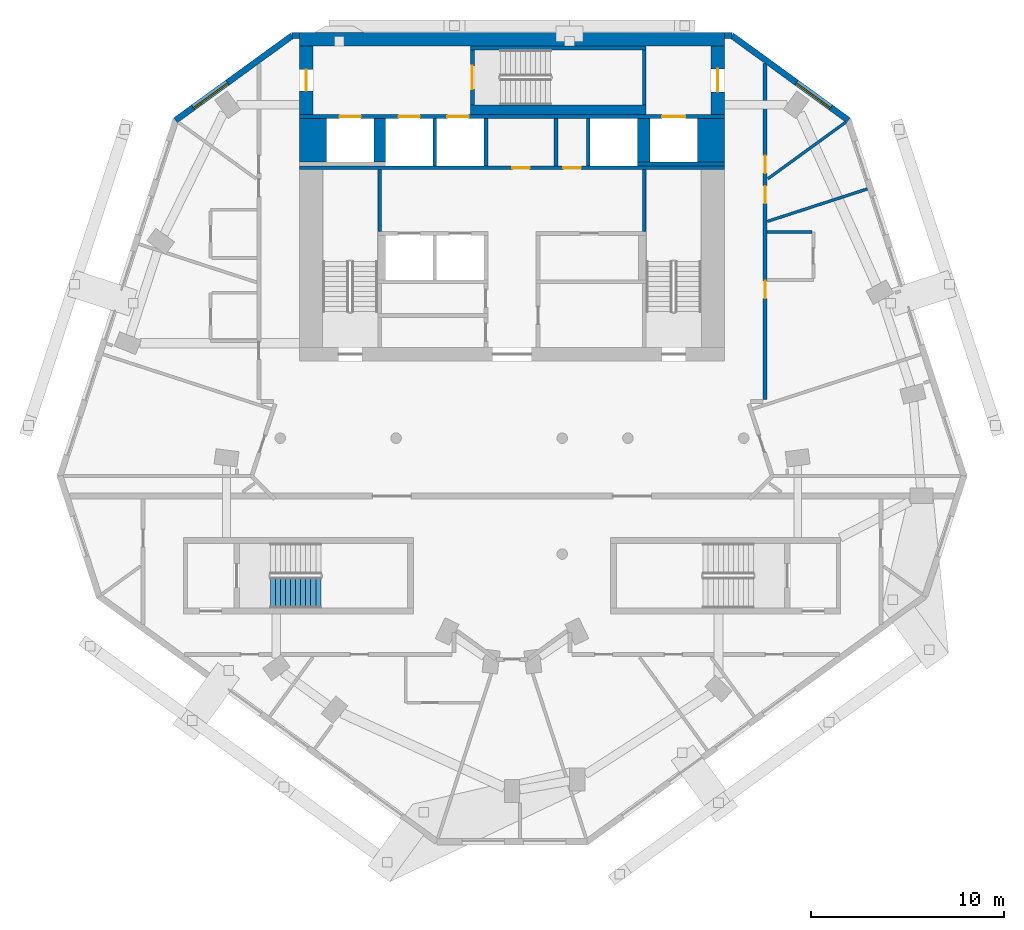
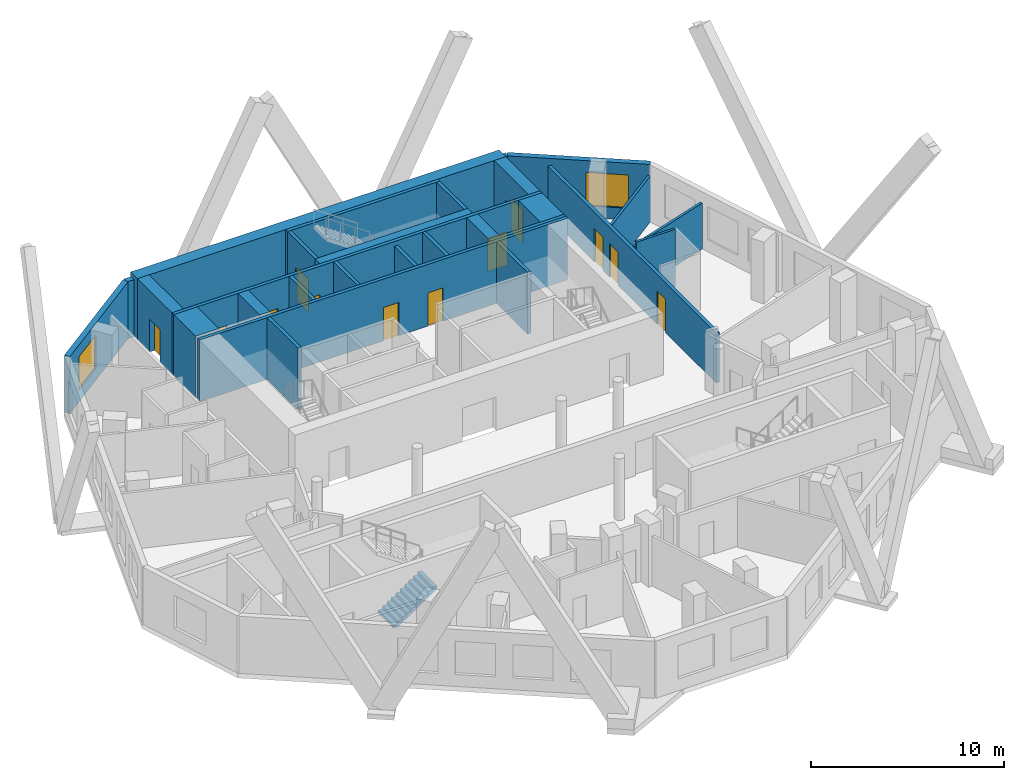
# One storey, part 6 of 9: 28 walls, 12 doors, 2 windows, 1 stair flight, 14 openings, 1 element without a shape of its own.
"""IFC4 building model written with IfcOpenShell, lengths in metres."""

import ifcopenshell
import ifcopenshell.guid

model = None  # the IFC model being written
_history = None  # IfcOwnerHistory: only IFC2X3 demands one
_inside = {}  # id of a spatial element -> (the spatial element, [elements in it])
_under = {}  # id of a project, library or spatial element -> (it, [spatial elements below it])
_declared = {}  # id of a project -> (the project, [libraries it declares])
_typed = {}  # id of a type object -> (the type object, [elements of that type])
_made_of = {}  # id of a material, layer set ... -> (it, [elements and type objects made of it])


def new_model(schema):
    """Start an empty IFC model of exactly this schema.

    Asked for "IFC4X3", IfcOpenShell would pick the latest addendum, in which some entities
    have other attributes; the version numbers below select the first issue.
    IFC2X3 requires an IfcOwnerHistory on every rooted entity: one is made here for all.
    """
    global model, _history
    if schema == "IFC4X3":
        model = ifcopenshell.file(schema_version=(4, 3, 0, 0))
    else:
        model = ifcopenshell.file(schema=schema)
    _inside.clear()
    _under.clear()
    _declared.clear()
    _typed.clear()
    _made_of.clear()
    _history = None
    if model.schema == "IFC2X3":
        org = make("IfcOrganization", Name="unknown")
        user = make(
            "IfcPersonAndOrganization",
            ThePerson=make("IfcPerson", FamilyName="unknown"),
            TheOrganization=org,
        )
        app = make(
            "IfcApplication",
            ApplicationDeveloper=org,
            Version="unknown",
            ApplicationFullName="unknown",
            ApplicationIdentifier="unknown",
        )
        _history = make(
            "IfcOwnerHistory",
            OwningUser=user,
            OwningApplication=app,
            ChangeAction="ADDED",
            CreationDate=0,
        )
    return model


def make(cls, **values):
    """One entity of the class cls with the attributes given. An attribute that is None is left unset."""
    return model.create_entity(
        cls, **{name: value for name, value in values.items() if value is not None}
    )


def rooted(cls, **values):
    """An entity with a GlobalId (a new one), such as an element, a storey or a relation."""
    return make(cls, GlobalId=ifcopenshell.guid.new(), OwnerHistory=_history, **values)


def si_unit(unit_type, name, prefix=None):
    """IfcSIUnit, for example si_unit("LENGTHUNIT", "METRE", prefix="MILLI")."""
    return make("IfcSIUnit", UnitType=unit_type, Prefix=prefix, Name=name)


def assignment(units):
    """IfcUnitAssignment: the units of a project."""
    return None if units is None else make("IfcUnitAssignment", Units=units)


def point(xyz):
    """IfcCartesianPoint."""
    return None if xyz is None else make("IfcCartesianPoint", Coordinates=xyz)


def direction(xyz):
    """IfcDirection."""
    return None if xyz is None else make("IfcDirection", DirectionRatios=xyz)


def frame(location, z_axis=None, x_axis=None):
    """IfcAxis2Placement3D, a coordinate frame: its origin and axes. An axis left out is left unset."""
    return make(
        "IfcAxis2Placement3D",
        Location=point(location),
        Axis=direction(z_axis),
        RefDirection=direction(x_axis),
    )


def frame_2d(location, x_axis=None):
    """IfcAxis2Placement2D, a coordinate frame in the plane: its origin and x axis."""
    return make(
        "IfcAxis2Placement2D", Location=point(location), RefDirection=direction(x_axis)
    )


def origin():
    """The frame at (0, 0, 0) with its axes left unset."""
    return frame((0.0, 0.0, 0.0))


def place(relative_to, where):
    """IfcLocalPlacement: puts the frame where relative to a parent placement (None: the world)."""
    return make(
        "IfcLocalPlacement", PlacementRelTo=relative_to, RelativePlacement=where
    )


def context(
    kind, dimensions, precision=None, world=None, true_north=None, identifier=None
):
    """IfcGeometricRepresentationContext, for example the 3D "Model" context."""
    return make(
        "IfcGeometricRepresentationContext",
        ContextIdentifier=identifier,
        ContextType=kind,
        CoordinateSpaceDimension=dimensions,
        Precision=precision,
        WorldCoordinateSystem=world,
        TrueNorth=true_north,
    )


def subcontext(parent, identifier, kind, view, scale=None):
    """IfcGeometricRepresentationSubContext, for example "Body" below "Model"."""
    return make(
        "IfcGeometricRepresentationSubContext",
        ContextIdentifier=identifier,
        ContextType=kind,
        ParentContext=parent,
        TargetScale=scale,
        TargetView=view,
    )


def project(units=None, contexts=None):
    """IfcProject with its units and contexts."""
    return rooted(
        "IfcProject",
        Name="project",
        RepresentationContexts=contexts,
        UnitsInContext=assignment(units),
    )


def spatial(cls, under=None, at=None, **own):
    """A site, building, storey or space (cls), placed at a placement, below another one or the project."""
    s = rooted(cls, ObjectPlacement=at, **own)
    if under is not None:
        _under.setdefault(under.id(), (under, []))[1].append(s)
    return s


def polyline(points):
    """IfcPolyline through the points."""
    return make("IfcPolyline", Points=[point(p) for p in points])


def profile(cls, at=None, kind="AREA", **sizes):
    """A parametric profile (cls). Its sizes go by their IFC names, for example OverallWidth=200.0."""
    return make(cls, ProfileType=kind, Position=at, **sizes)


def rectangle(**sizes):
    """IfcRectangleProfileDef."""
    return profile("IfcRectangleProfileDef", **sizes)


def outline(outer, holes=None, kind="AREA"):
    """IfcArbitraryClosedProfileDef: a profile drawn as a closed curve; with holes, ...WithVoids."""
    if holes is None:
        return make("IfcArbitraryClosedProfileDef", ProfileType=kind, OuterCurve=outer)
    return make(
        "IfcArbitraryProfileDefWithVoids",
        ProfileType=kind,
        OuterCurve=outer,
        InnerCurves=holes,
    )


def extrude(swept, where, along, depth):
    """IfcExtrudedAreaSolid: the profile swept, set in the frame where, extruded along a direction by depth."""
    return make(
        "IfcExtrudedAreaSolid",
        SweptArea=swept,
        Position=where,
        ExtrudedDirection=direction(along),
        Depth=depth,
    )


def shape(context_of_items, identifier, shape_type, items):
    """IfcShapeRepresentation: the items that make up one representation, for example the "Body"."""
    return make(
        "IfcShapeRepresentation",
        ContextOfItems=context_of_items,
        RepresentationIdentifier=identifier,
        RepresentationType=shape_type,
        Items=items,
    )


def material(Name=None, Category=None):
    """IfcMaterial."""
    return make("IfcMaterial", Name=Name, Category=Category)


def layer(
    of_material, thickness, ventilated=None, Name=None, Category=None, Priority=None
):
    """IfcMaterialLayer: one layer of a wall or slab, of a material (None: an air gap)."""
    return make(
        "IfcMaterialLayer",
        Material=of_material,
        LayerThickness=thickness,
        IsVentilated=ventilated,
        Name=Name,
        Category=Category,
        Priority=Priority,
    )


def layer_set(layers, Name=None):
    """IfcMaterialLayerSet."""
    return make("IfcMaterialLayerSet", MaterialLayers=layers, LayerSetName=Name)


def made_of(thing, what):
    """Note that an element or type object is made of a material, layer set ...; save() writes the relation."""
    if what is not None:
        _made_of.setdefault(what.id(), (what, []))[1].append(thing)
    return thing


def type_object(cls, material=None, **own):
    """A type object (cls), such as IfcWallType, which elements share."""
    return made_of(rooted(cls, **own), material)


def element(
    cls,
    number,
    at=None,
    inside=None,
    cuts=None,
    type_object=None,
    material=None,
    context=None,
    identifier="Body",
    shape_type=None,
    held_by="IfcProductDefinitionShape",
    body=None,
    shapes=None,
    **own,
):
    """One element of the class cls, such as IfcWall. Its Tag is "e" and its number.

    at: its placement. inside: the storey or other place that contains it. cuts: it is an
    opening in that element (IfcRelVoidsElement). A single representation is given by context,
    identifier, shape_type and body (its items); several are given by shapes. held_by: the class
    of the entity that holds the representations. save() writes the other relations.
    """
    e = rooted(cls, Tag="e%d" % number, ObjectPlacement=at, **own)
    if body is not None:
        shapes = [shape(context, identifier, shape_type, body)]
    if shapes is not None:
        e.Representation = make(held_by, Representations=shapes)
    if inside is not None:
        _inside.setdefault(inside.id(), (inside, []))[1].append(e)
    if cuts is not None:
        rooted(
            "IfcRelVoidsElement", RelatingBuildingElement=cuts, RelatedOpeningElement=e
        )
    if type_object is not None:
        _typed.setdefault(type_object.id(), (type_object, []))[1].append(e)
    return made_of(e, material)


def fill(opening, filler):
    """IfcRelFillsElement: the door or window that sits in an opening."""
    return rooted(
        "IfcRelFillsElement",
        RelatingOpeningElement=opening,
        RelatedBuildingElement=filler,
    )


def aggregate(whole, parts):
    """IfcRelAggregates: a whole, such as a stair, and the parts it consists of."""
    return rooted("IfcRelAggregates", RelatingObject=whole, RelatedObjects=parts)


def save(model, path):
    """Write the relations noted so far, then the file.

    IfcRelAggregates (storeys below a building ...), IfcRelContainedInSpatialStructure (elements
    in a storey), IfcRelDefinesByType, IfcRelAssociatesMaterial and IfcRelDeclares: one each for
    every whole, place, type object, material and project.
    """
    for whole, parts in _under.values():
        aggregate(whole, parts)
    for where, things in _inside.values():
        rooted(
            "IfcRelContainedInSpatialStructure",
            RelatedElements=things,
            RelatingStructure=where,
        )
    for kind, things in _typed.values():
        rooted("IfcRelDefinesByType", RelatedObjects=things, RelatingType=kind)
    for what, things in _made_of.values():
        rooted("IfcRelAssociatesMaterial", RelatedObjects=things, RelatingMaterial=what)
    for by, libraries in _declared.values():
        rooted("IfcRelDeclares", RelatingContext=by, RelatedDefinitions=libraries)
    model.write(path)


model = new_model("IFC4")

# Units and contexts
model_context = context("Model", 3, precision=1e-05, world=origin(), true_north=direction((0.0, 1.0)))
body_context = subcontext(model_context, "Body", "Model", "MODEL_VIEW")
ifc_project = project(units=[si_unit("LENGTHUNIT", "METRE"), si_unit("AREAUNIT", "SQUARE_METRE"), si_unit("VOLUMEUNIT", "CUBIC_METRE"), si_unit("PLANEANGLEUNIT", "RADIAN"), si_unit("MASSUNIT", "GRAM", prefix="KILO")], contexts=[model_context])

# Site, building, storey
site_placement = place(None, origin())
site = spatial("IfcSite", under=ifc_project, at=site_placement, CompositionType="ELEMENT")
building_placement = place(site_placement, origin())
building = spatial("IfcBuilding", under=site, at=building_placement, Name="White Candle Pilgrim Tower", CompositionType="ELEMENT")
storey_placement = place(building_placement, frame((0.0, 0.0, 260.0)))
storey = spatial("IfcBuildingStorey", under=building, at=storey_placement, Name="L61", CompositionType="ELEMENT", Elevation=260.0)

# Walls
ifc_material_1 = material(Name="Concrete C50/60", Category="concrete")
ifc_layer_1 = layer(ifc_material_1, 1.39990234375)
ifc_layer_set_1 = layer_set([ifc_layer_1], Name="Core wall 1400 mm Concrete C50/60")
wall_type_1 = type_object("IfcWallType", Name="Core wall 1400 mm Concrete C50/60", PredefinedType="SHEAR", material=ifc_layer_set_1)
for number, where, z_axis, x_axis, name in (
    (1, (59.699951171875, 81.300048828125, 0.0), (0.0, 0.0, 1.0), (0.0, 1.0, 0.0), "WL-L61-C39"),
    (2, (80.300048828125, 81.300048828125, 0.0), (0.0, 0.0, 1.0), (0.0, 1.0, 0.0), "WL-L61-C42"),
):
    element("IfcWall", number, at=place(storey_placement, frame(where, z_axis=z_axis, x_axis=x_axis)), inside=storey, type_object=wall_type_1, Name=name, PredefinedType="SHEAR", context=body_context, shape_type="SweptSolid", body=[
        extrude(rectangle(XDim=2.25, YDim=1.39990234375, at=frame_2d((1.125, 0.0))), origin(), (0.0, 0.0, 1.0), 3.89990234375),
    ])
ifc_layer_2 = layer(ifc_material_1, 0.199951171875)
ifc_layer_set_2 = layer_set([ifc_layer_2], Name="Core wall 200 mm Concrete C50/60")
wall_type_2 = type_object("IfcWallType", Name="Core wall 200 mm Concrete C50/60", PredefinedType="SHEAR", material=ifc_layer_set_2)
wall_1_placement = place(storey_placement, frame((76.5, 81.199951171875, 0.0), z_axis=(0.0, 0.0, 1.0), x_axis=(1.0, 0.0, 0.0)))
element("IfcWall", 3, at=wall_1_placement, inside=storey, type_object=wall_type_2, Name="WL-L61-C38", PredefinedType="SHEAR", context=body_context, shape_type="SweptSolid", body=[
    extrude(rectangle(XDim=4.5, YDim=0.199951171875, at=frame_2d((2.25, 0.0))), origin(), (0.0, 0.0, 1.0), 3.89990234375),
])

# Wall, openings, doors
wall_2_placement = place(storey_placement, frame((59.0, 83.64990234375, 0.0), z_axis=(0.0, 0.0, 1.0), x_axis=(1.0, 0.0, 0.0)))
wall_2 = element("IfcWall", 4, at=wall_2_placement, inside=storey, type_object=wall_type_2, Name="WL-L61-C43", PredefinedType="SHEAR", context=body_context, shape_type="SweptSolid", body=[
    extrude(rectangle(XDim=22.0, YDim=0.199951171875, at=frame_2d((11.0, 0.0))), origin(), (0.0, 0.0, 1.0), 3.89990234375),
])
opening_1_placement = place(wall_2_placement, frame((5.125, 0.0, 0.0)))
opening_1 = element("IfcOpeningElement", 5, at=opening_1_placement, cuts=wall_2, Name="Opening T19-016", PredefinedType="OPENING", context=body_context, shape_type="SweptSolid", body=[
    extrude(rectangle(XDim=1.10009765625, YDim=2.10009765625, at=frame_2d((0.550048828125, 1.050048828125))), frame((0.0, 0.10986328125, 0.0), z_axis=(0.0, -1.0, 0.0), x_axis=(1.0, 0.0, 0.0)), (0.0, 0.0, 1.0), 0.219970703125),
])
opening_2_placement = place(wall_2_placement, frame((7.64990234375, 0.0, 0.0)))
opening_2 = element("IfcOpeningElement", 6, at=opening_2_placement, cuts=wall_2, Name="Opening T19-017", PredefinedType="OPENING", context=body_context, shape_type="SweptSolid", body=[
    extrude(rectangle(XDim=1.10009765625, YDim=2.10009765625, at=frame_2d((0.550048828125, 1.050048828125))), frame((0.0, 0.10986328125, 0.0), z_axis=(0.0, -1.0, 0.0), x_axis=(1.0, 0.0, 0.0)), (0.0, 0.0, 1.0), 0.219970703125),
])
opening_3_placement = place(wall_2_placement, frame((18.77490234375, 0.0, 0.0)))
opening_3 = element("IfcOpeningElement", 7, at=opening_3_placement, cuts=wall_2, Name="Opening T19-018", PredefinedType="OPENING", context=body_context, shape_type="SweptSolid", body=[
    extrude(rectangle(XDim=1.199951171875, YDim=2.10009765625, at=frame_2d((0.60009765625, 1.050048828125))), frame((0.0, 0.10986328125, 0.0), z_axis=(0.0, -1.0, 0.0), x_axis=(1.0, 0.0, 0.0)), (0.0, 0.0, 1.0), 0.219970703125),
])
opening_4_placement = place(wall_2_placement, frame((2.074951171875, 0.0, 0.0)))
opening_4 = element("IfcOpeningElement", 8, at=opening_4_placement, cuts=wall_2, Name="Opening T19-019", PredefinedType="OPENING", context=body_context, shape_type="SweptSolid", body=[
    extrude(rectangle(XDim=1.10009765625, YDim=2.10009765625, at=frame_2d((0.550048828125, 1.050048828125))), frame((0.0, 0.10986328125, 0.0), z_axis=(0.0, -1.0, 0.0), x_axis=(1.0, 0.0, 0.0)), (0.0, 0.0, 1.0), 0.219970703125),
])
ifc_material_2 = material(Name="Stainless steel", Category="steel")
door_type_1 = type_object("IfcDoorType", Name="Lift landing door 1100 x 2100 EI 60", OperationType="DOUBLE_DOOR_SLIDING", PredefinedType="DOOR", material=ifc_material_2)
door_1_placement = place(opening_1_placement, origin())
door_1 = element("IfcDoor", 9, at=door_1_placement, inside=storey, type_object=door_type_1, Name="Door T19-016", OperationType="DOUBLE_DOOR_SLIDING", OverallHeight=2.10009765625, OverallWidth=1.10009765625, PredefinedType="DOOR", context=body_context, shape_type="SweptSolid", body=[
    extrude(rectangle(XDim=1.10009765625, YDim=2.10009765625, at=frame_2d((0.550048828125, 1.050048828125))), frame((0.0, 0.02490234375, 0.0), z_axis=(0.0, -1.0, 0.0), x_axis=(1.0, 0.0, 0.0)), (0.0, 0.0, 1.0), 0.050048828125),
])
fill(opening_1, door_1)
door_2_placement = place(opening_2_placement, origin())
door_2 = element("IfcDoor", 10, at=door_2_placement, inside=storey, type_object=door_type_1, Name="Door T19-017", OperationType="DOUBLE_DOOR_SLIDING", OverallHeight=2.10009765625, OverallWidth=1.10009765625, PredefinedType="DOOR", context=body_context, shape_type="SweptSolid", body=[
    extrude(rectangle(XDim=1.10009765625, YDim=2.10009765625, at=frame_2d((0.550048828125, 1.050048828125))), frame((0.0, 0.02490234375, 0.0), z_axis=(0.0, -1.0, 0.0), x_axis=(1.0, 0.0, 0.0)), (0.0, 0.0, 1.0), 0.050048828125),
])
fill(opening_2, door_2)
door_3_placement = place(opening_4_placement, origin())
door_3 = element("IfcDoor", 11, at=door_3_placement, inside=storey, type_object=door_type_1, Name="Door T19-019", OperationType="DOUBLE_DOOR_SLIDING", OverallHeight=2.10009765625, OverallWidth=1.10009765625, PredefinedType="DOOR", context=body_context, shape_type="SweptSolid", body=[
    extrude(rectangle(XDim=1.10009765625, YDim=2.10009765625, at=frame_2d((0.550048828125, 1.050048828125))), frame((0.0, 0.02490234375, 0.0), z_axis=(0.0, -1.0, 0.0), x_axis=(1.0, 0.0, 0.0)), (0.0, 0.0, 1.0), 0.050048828125),
])
fill(opening_4, door_3)
door_type_2 = type_object("IfcDoorType", Name="Lift landing door 1200 x 2100 E 60", OperationType="DOUBLE_DOOR_SLIDING", PredefinedType="DOOR", material=ifc_material_2)
door_4_placement = place(opening_3_placement, origin())
door_4 = element("IfcDoor", 12, at=door_4_placement, inside=storey, type_object=door_type_2, Name="Door T19-018", OperationType="DOUBLE_DOOR_SLIDING", OverallHeight=2.10009765625, OverallWidth=1.199951171875, PredefinedType="DOOR", context=body_context, shape_type="SweptSolid", body=[
    extrude(rectangle(XDim=1.199951171875, YDim=2.10009765625, at=frame_2d((0.60009765625, 1.050048828125))), frame((0.0, 0.02490234375, 0.0), z_axis=(0.0, -1.0, 0.0), x_axis=(1.0, 0.0, 0.0)), (0.0, 0.0, 1.0), 0.050048828125),
])
fill(opening_3, door_4)

# Wall, opening, door
ifc_layer_3 = layer(ifc_material_1, 0.699951171875)
ifc_layer_set_3 = layer_set([ifc_layer_3], Name="Core wall 700 mm Concrete C50/60")
wall_type_3 = type_object("IfcWallType", Name="Core wall 700 mm Concrete C50/60", PredefinedType="SHEAR", material=ifc_layer_set_3)
wall_3_placement = place(storey_placement, frame((59.35009765625, 83.75, 0.0), z_axis=(0.0, 0.0, 1.0), x_axis=(0.0, 1.0, 0.0)))
wall_3 = element("IfcWall", 13, at=wall_3_placement, inside=storey, type_object=wall_type_3, Name="WL-L61-C44", PredefinedType="SHEAR", context=body_context, shape_type="SweptSolid", body=[
    extrude(rectangle(XDim=3.550048828125, YDim=0.699951171875, at=frame_2d((1.77490234375, 0.0))), origin(), (0.0, 0.0, 1.0), 3.89990234375),
])
opening_5_placement = place(wall_3_placement, frame((1.22509765625, 0.0, 0.0)))
opening_5 = element("IfcOpeningElement", 14, at=opening_5_placement, cuts=wall_3, Name="Opening T19-008", PredefinedType="OPENING", context=body_context, shape_type="SweptSolid", body=[
    extrude(rectangle(XDim=1.10009765625, YDim=2.10009765625, at=frame_2d((0.550048828125, 1.050048828125))), frame((0.0, 0.35986328125, 0.0), z_axis=(0.0, -1.0, 0.0), x_axis=(1.0, 0.0, 0.0)), (0.0, 0.0, 1.0), 0.719970703125),
])
ifc_material_3 = material(Name="Steel door leaf", Category="steel")
door_type_3 = type_object("IfcDoorType", Name="Fire door 1100 x 2100 EI 60", OperationType="NOTDEFINED", PredefinedType="DOOR", material=ifc_material_3)
door_5_placement = place(opening_5_placement, origin())
door_5 = element("IfcDoor", 15, at=door_5_placement, inside=storey, type_object=door_type_3, Name="Door T19-008", OperationType="SINGLE_SWING_RIGHT", OverallHeight=2.10009765625, OverallWidth=1.10009765625, PredefinedType="DOOR", context=body_context, shape_type="SweptSolid", body=[
    extrude(rectangle(XDim=1.10009765625, YDim=2.10009765625, at=frame_2d((0.550048828125, 1.050048828125))), frame((0.0, 0.02490234375, 0.0), z_axis=(0.0, -1.0, 0.0), x_axis=(1.0, 0.0, 0.0)), (0.0, 0.0, 1.0), 0.050048828125),
])
fill(opening_5, door_5)

wall_4_placement = place(storey_placement, frame((80.64990234375, 83.75, 0.0), z_axis=(0.0, 0.0, 1.0), x_axis=(0.0, 1.0, 0.0)))
wall_4 = element("IfcWall", 16, at=wall_4_placement, inside=storey, type_object=wall_type_3, Name="WL-L61-C46", PredefinedType="SHEAR", context=body_context, shape_type="SweptSolid", body=[
    extrude(rectangle(XDim=3.550048828125, YDim=0.699951171875, at=frame_2d((1.77490234375, 0.0))), origin(), (0.0, 0.0, 1.0), 3.89990234375),
])
opening_6_placement = place(wall_4_placement, frame((1.175048828125, 0.0, 0.0)))
opening_6 = element("IfcOpeningElement", 17, at=opening_6_placement, cuts=wall_4, Name="Opening T19-009", PredefinedType="OPENING", context=body_context, shape_type="SweptSolid", body=[
    extrude(rectangle(XDim=1.199951171875, YDim=2.10009765625, at=frame_2d((0.60009765625, 1.050048828125))), frame((0.0, 0.35986328125, 0.0), z_axis=(0.0, -1.0, 0.0), x_axis=(1.0, 0.0, 0.0)), (0.0, 0.0, 1.0), 0.719970703125),
])
door_type_4 = type_object("IfcDoorType", Name="Fire door 1200 x 2100 EI 30", OperationType="NOTDEFINED", PredefinedType="DOOR", material=ifc_material_3)
door_6_placement = place(opening_6_placement, origin())
door_6 = element("IfcDoor", 18, at=door_6_placement, inside=storey, type_object=door_type_4, Name="Door T19-009", OperationType="SINGLE_SWING_LEFT", OverallHeight=2.10009765625, OverallWidth=1.199951171875, PredefinedType="DOOR", context=body_context, shape_type="SweptSolid", body=[
    extrude(rectangle(XDim=1.199951171875, YDim=2.10009765625, at=frame_2d((0.60009765625, 1.050048828125))), frame((0.0, 0.02490234375, 0.0), z_axis=(0.0, -1.0, 0.0), x_axis=(1.0, 0.0, 0.0)), (0.0, 0.0, 1.0), 0.050048828125),
])
fill(opening_6, door_6)

# Wall
wall_5_placement = place(storey_placement, frame((59.0, 87.64990234375, 0.0), z_axis=(0.0, 0.0, 1.0), x_axis=(1.0, 0.0, 0.0)))
element("IfcWall", 19, at=wall_5_placement, inside=storey, type_object=wall_type_3, Name="WL-L61-C50", PredefinedType="SHEAR", context=body_context, shape_type="SweptSolid", body=[
    extrude(rectangle(XDim=22.0, YDim=0.699951171875, at=frame_2d((11.0, 0.0))), origin(), (0.0, 0.0, 1.0), 3.89990234375),
])

# Wall, openings, doors
ifc_material_4 = material(Name="Gypsum board on steel studs", Category="steel")
ifc_layer_4 = layer(ifc_material_4, 0.199951171875)
ifc_layer_set_4 = layer_set([ifc_layer_4], Name="Corridor wall 200 mm EI 45")
wall_type_4 = type_object("IfcWallType", Name="Corridor wall 200 mm EI 45", PredefinedType="PARTITIONING", material=ifc_layer_set_4)
wall_6_placement = place(storey_placement, frame((83.10009765625, 86.396240234375, 0.0), z_axis=(0.0, 0.0, 1.0), x_axis=(0.0, -1.0, 0.0)))
wall_6 = element("IfcWall", 20, at=wall_6_placement, inside=storey, type_object=wall_type_4, Name="WL-L61-P007", PredefinedType="PARTITIONING", context=body_context, shape_type="SweptSolid", body=[
    extrude(rectangle(XDim=17.396240234375, YDim=0.199951171875, at=frame_2d((8.6982421875, 0.0))), origin(), (0.0, 0.0, 1.0), 3.14990234375),
])
opening_7_placement = place(wall_6_placement, frame((4.768798828125, 0.0, 0.0)))
opening_7 = element("IfcOpeningElement", 21, at=opening_7_placement, cuts=wall_6, Name="Opening T19-118", PredefinedType="OPENING", context=body_context, shape_type="SweptSolid", body=[
    extrude(rectangle(XDim=0.89990234375, YDim=2.10009765625, at=frame_2d((0.449951171875, 1.050048828125))), frame((0.0, 0.10986328125, 0.0), z_axis=(0.0, -1.0, 0.0), x_axis=(1.0, 0.0, 0.0)), (0.0, 0.0, 1.0), 0.219970703125),
])
opening_8_placement = place(wall_6_placement, frame((6.34521484375, 0.0, 0.0)))
opening_8 = element("IfcOpeningElement", 22, at=opening_8_placement, cuts=wall_6, Name="Opening T19-119", PredefinedType="OPENING", context=body_context, shape_type="SweptSolid", body=[
    extrude(rectangle(XDim=0.89990234375, YDim=2.10009765625, at=frame_2d((0.449951171875, 1.050048828125))), frame((0.0, 0.10986328125, 0.0), z_axis=(0.0, -1.0, 0.0), x_axis=(1.0, 0.0, 0.0)), (0.0, 0.0, 1.0), 0.219970703125),
])
opening_9_placement = place(wall_6_placement, frame((11.259033203125, 0.0, 0.0)))
opening_9 = element("IfcOpeningElement", 23, at=opening_9_placement, cuts=wall_6, Name="Opening T19-120", PredefinedType="OPENING", context=body_context, shape_type="SweptSolid", body=[
    extrude(rectangle(XDim=0.89990234375, YDim=2.10009765625, at=frame_2d((0.449951171875, 1.050048828125))), frame((0.0, 0.10986328125, 0.0), z_axis=(0.0, -1.0, 0.0), x_axis=(1.0, 0.0, 0.0)), (0.0, 0.0, 1.0), 0.219970703125),
])
door_type_5 = type_object("IfcDoorType", Name="Fire door 900 x 2100 EI 30", OperationType="NOTDEFINED", PredefinedType="DOOR", material=ifc_material_3)
door_7_placement = place(opening_7_placement, origin())
door_7 = element("IfcDoor", 24, at=door_7_placement, inside=storey, type_object=door_type_5, Name="Door T19-118", OperationType="SINGLE_SWING_RIGHT", OverallHeight=2.10009765625, OverallWidth=0.89990234375, PredefinedType="DOOR", context=body_context, shape_type="SweptSolid", body=[
    extrude(rectangle(XDim=0.89990234375, YDim=2.10009765625, at=frame_2d((0.449951171875, 1.050048828125))), frame((0.0, 0.02490234375, 0.0), z_axis=(0.0, -1.0, 0.0), x_axis=(1.0, 0.0, 0.0)), (0.0, 0.0, 1.0), 0.050048828125),
])
fill(opening_7, door_7)
door_8_placement = place(opening_8_placement, origin())
door_8 = element("IfcDoor", 25, at=door_8_placement, inside=storey, type_object=door_type_5, Name="Door T19-119", OperationType="SINGLE_SWING_LEFT", OverallHeight=2.10009765625, OverallWidth=0.89990234375, PredefinedType="DOOR", context=body_context, shape_type="SweptSolid", body=[
    extrude(rectangle(XDim=0.89990234375, YDim=2.10009765625, at=frame_2d((0.449951171875, 1.050048828125))), frame((0.0, 0.02490234375, 0.0), z_axis=(0.0, -1.0, 0.0), x_axis=(1.0, 0.0, 0.0)), (0.0, 0.0, 1.0), 0.050048828125),
])
fill(opening_8, door_8)
door_9_placement = place(opening_9_placement, frame((0.89990234375, 0.0, 0.0), z_axis=(0.0, 0.0, 1.0), x_axis=(-1.0, 0.0, 0.0)))
door_9 = element("IfcDoor", 26, at=door_9_placement, inside=storey, type_object=door_type_5, Name="Door T19-120", OperationType="SINGLE_SWING_LEFT", OverallHeight=2.10009765625, OverallWidth=0.89990234375, PredefinedType="DOOR", context=body_context, shape_type="SweptSolid", body=[
    extrude(rectangle(XDim=0.89990234375, YDim=2.10009765625, at=frame_2d((0.449951171875, 1.050048828125))), frame((0.0, 0.02490234375, 0.0), z_axis=(0.0, -1.0, 0.0), x_axis=(1.0, 0.0, 0.0)), (0.0, 0.0, 1.0), 0.050048828125),
])
fill(opening_9, door_9)

# Wall, opening, window
ifc_material_5 = material(Name="Precast concrete C40/50", Category="concrete")
ifc_layer_5 = layer(ifc_material_5, 0.320068359375)
ifc_layer_set_5 = layer_set([ifc_layer_5], Name="Facade wall EW1 precast concrete C40/50 pier wall with timber-lined reveals")
wall_type_5 = type_object("IfcWallType", Name="Facade wall EW1 precast concrete C40/50 pier wall with timber-lined reveals", PredefinedType="SOLIDWALL", material=ifc_layer_set_5)
wall_7_placement = place(storey_placement, frame((87.41552734375, 83.45849609375, 0.0), z_axis=(0.0, 0.0, 1.0), x_axis=(-0.80900651237, 0.587799679264, 0.0)))
wall_7 = element("IfcWall", 27, at=wall_7_placement, inside=storey, type_object=wall_type_5, Name="Facade wall L61 NE chamfer", PredefinedType="SOLIDWALL", context=body_context, shape_type="SweptSolid", body=[
    extrude(rectangle(XDim=7.454345703125, YDim=0.320068359375, at=frame_2d((3.72705078125, 0.0))), origin(), (0.0, 0.0, 1.0), 3.60009765625),
])
opening_10_placement = place(wall_7_placement, frame((1.127197265625, 0.0, 0.75)))
opening_10 = element("IfcOpeningElement", 28, at=opening_10_placement, cuts=wall_7, Name="Opening W4", PredefinedType="OPENING", context=body_context, shape_type="SweptSolid", body=[
    extrude(rectangle(XDim=2.199951171875, YDim=2.10009765625, at=frame_2d((1.10009765625, 1.050048828125))), frame((0.0, 0.169921875, 0.0), z_axis=(0.0, -1.0, 0.0), x_axis=(1.0, 0.0, 0.0)), (0.0, 0.0, 1.0), 0.340087890625),
])
ifc_material_6 = material(Name="Timber frame with triple glazing", Category="wood")
window_type = type_object("IfcWindowType", Name="Window W4 2200x2100 timber frame triple glazing", PartitioningType="SINGLE_PANEL", PredefinedType="WINDOW", material=ifc_material_6)
window_1_placement = place(opening_10_placement, origin())
window_1 = element("IfcWindow", 29, at=window_1_placement, inside=storey, type_object=window_type, Name="Window W4 L61 NE chamfer 1", OverallHeight=2.10009765625, OverallWidth=2.199951171875, PartitioningType="SINGLE_PANEL", PredefinedType="WINDOW", context=body_context, shape_type="SweptSolid", body=[
    extrude(rectangle(XDim=2.199951171875, YDim=2.10009765625, at=frame_2d((1.10009765625, 1.050048828125))), frame((0.0, 0.070068359375, 0.0), z_axis=(0.0, -1.0, 0.0), x_axis=(1.0, 0.0, 0.0)), (0.0, 0.0, 1.0), 0.06005859375),
])
fill(opening_10, window_1)

# Walls
for number, where, z_axis, x_axis, name in (
    (30, (81.385009765625, 87.840087890625, 0.0), (0.0, 0.0, 1.0), (-1.0, 0.0, 0.0), "Facade wall L61 N"),
    (31, (59.0, 87.840087890625, 0.0), (0.0, 0.0, 1.0), (-1.0, 0.0, 0.0), "Facade wall L61 N"),
):
    element("IfcWall", number, at=place(storey_placement, frame(where, z_axis=z_axis, x_axis=x_axis)), inside=storey, type_object=wall_type_5, Name=name, PredefinedType="SOLIDWALL", context=body_context, shape_type="SweptSolid", body=[
        extrude(rectangle(XDim=0.385009765625, YDim=0.320068359375, at=frame_2d((0.1923828125, 0.0))), origin(), (0.0, 0.0, 1.0), 3.60009765625),
    ])

# Wall, opening, window
wall_8_placement = place(storey_placement, frame((58.614990234375, 87.840087890625, 0.0), z_axis=(0.0, 0.0, 1.0), x_axis=(-0.80900651237, -0.587799679264, 0.0)))
wall_8 = element("IfcWall", 32, at=wall_8_placement, inside=storey, type_object=wall_type_5, Name="Facade wall L61 NW chamfer", PredefinedType="SOLIDWALL", context=body_context, shape_type="SweptSolid", body=[
    extrude(rectangle(XDim=7.454345703125, YDim=0.320068359375, at=frame_2d((3.72705078125, 0.0))), origin(), (0.0, 0.0, 1.0), 3.60009765625),
])
opening_11_placement = place(wall_8_placement, frame((4.127197265625, 0.0, 0.75)))
opening_11 = element("IfcOpeningElement", 33, at=opening_11_placement, cuts=wall_8, Name="Opening W4", PredefinedType="OPENING", context=body_context, shape_type="SweptSolid", body=[
    extrude(rectangle(XDim=2.199951171875, YDim=2.10009765625, at=frame_2d((1.10009765625, 1.050048828125))), frame((0.0, 0.169921875, 0.0), z_axis=(0.0, -1.0, 0.0), x_axis=(1.0, 0.0, 0.0)), (0.0, 0.0, 1.0), 0.340087890625),
])
window_2_placement = place(opening_11_placement, origin())
window_2 = element("IfcWindow", 34, at=window_2_placement, inside=storey, type_object=window_type, Name="Window W4 L61 NW chamfer 2", OverallHeight=2.10009765625, OverallWidth=2.199951171875, PartitioningType="SINGLE_PANEL", PredefinedType="WINDOW", context=body_context, shape_type="SweptSolid", body=[
    extrude(rectangle(XDim=2.199951171875, YDim=2.10009765625, at=frame_2d((1.10009765625, 1.050048828125))), frame((0.0, 0.070068359375, 0.0), z_axis=(0.0, -1.0, 0.0), x_axis=(1.0, 0.0, 0.0)), (0.0, 0.0, 1.0), 0.06005859375),
])
fill(opening_11, window_2)

# Walls
ifc_layer_6 = layer(ifc_material_4, 0.199951171875)
ifc_layer_set_6 = layer_set([ifc_layer_6], Name="Lobby wall 200 mm EI 60")
wall_type_6 = type_object("IfcWallType", Name="Lobby wall 200 mm EI 60", PredefinedType="PARTITIONING", material=ifc_layer_set_6)
wall_9_placement = place(storey_placement, frame((72.280029296875, 81.10009765625, 0.0), z_axis=(0.0, 0.0, 1.0), x_axis=(0.0, 1.0, 0.0)))
element("IfcWall", 35, at=wall_9_placement, inside=storey, type_object=wall_type_6, Name="WL-L61-C36", PredefinedType="PARTITIONING", context=body_context, shape_type="SweptSolid", body=[
    extrude(rectangle(XDim=2.449951171875, YDim=0.199951171875, at=frame_2d((1.22509765625, 0.0))), origin(), (0.0, 0.0, 1.0), 3.60009765625),
])
ifc_layer_7 = layer(ifc_material_4, 0.14990234375)
ifc_layer_set_7 = layer_set([ifc_layer_7], Name="Partition 150 mm EI 60")
wall_type_7 = type_object("IfcWallType", Name="Partition 150 mm EI 60", PredefinedType="PARTITIONING", material=ifc_layer_set_7)
wall_10_placement = place(storey_placement, frame((87.279541015625, 83.359619140625, 0.0), z_axis=(0.0, 0.0, 1.0), x_axis=(-0.809017493514, -0.587784565286, 0.0)))
element("IfcWall", 36, at=wall_10_placement, inside=storey, type_object=wall_type_7, Name="WL-L61-P028", PredefinedType="PARTITIONING", context=body_context, shape_type="SweptSolid", body=[
    extrude(rectangle(XDim=4.988037109375, YDim=0.14990234375, at=frame_2d((2.494140625, 0.0))), origin(), (0.0, 0.0, 1.0), 2.89990234375),
])
wall_11_placement = place(storey_placement, frame((88.402099609375, 79.905029296875, 0.0), z_axis=(0.0, 0.0, 1.0), x_axis=(-0.951063387755, -0.308995845397, 0.0)))
element("IfcWall", 37, at=wall_11_placement, inside=storey, type_object=wall_type_7, Name="WL-L61-P043", PredefinedType="PARTITIONING", context=body_context, shape_type="SweptSolid", body=[
    extrude(rectangle(XDim=5.445556640625, YDim=0.14990234375, at=frame_2d((2.72265625, 0.0))), origin(), (0.0, 0.0, 1.0), 2.89990234375),
])
wall_12_placement = place(storey_placement, frame((83.199951171875, 77.682373046875, 0.0), z_axis=(0.0, 0.0, 1.0), x_axis=(1.0, 0.0, 0.0)))
element("IfcWall", 38, at=wall_12_placement, inside=storey, type_object=wall_type_7, Name="WL-L61-P046", PredefinedType="PARTITIONING", context=body_context, shape_type="SweptSolid", body=[
    extrude(rectangle(XDim=2.324951171875, YDim=0.14990234375, at=frame_2d((1.16259765625, 0.0))), origin(), (0.0, 0.0, 1.0), 3.60009765625),
])
ifc_layer_8 = layer(ifc_material_1, 0.199951171875)
ifc_layer_set_8 = layer_set([ifc_layer_8], Name="Shaft wall 200 mm Concrete C50/60")
wall_type_8 = type_object("IfcWallType", Name="Shaft wall 200 mm Concrete C50/60", PredefinedType="SHEAR", material=ifc_layer_set_8)
for number, where, z_axis, x_axis, name in (
    (39, (66.0, 81.10009765625, 0.0), (0.0, 0.0, 1.0), (0.0, 1.0, 0.0), "WL-L61-C34"),
    (40, (68.64990234375, 81.10009765625, 0.0), (0.0, 0.0, 1.0), (0.0, 1.0, 0.0), "WL-L61-C35"),
    (41, (73.949951171875, 81.10009765625, 0.0), (0.0, 0.0, 1.0), (0.0, 1.0, 0.0), "WL-L61-C37"),
):
    element("IfcWall", number, at=place(storey_placement, frame(where, z_axis=z_axis, x_axis=x_axis)), inside=storey, type_object=wall_type_8, Name=name, PredefinedType="SHEAR", context=body_context, shape_type="SweptSolid", body=[
        extrude(rectangle(XDim=2.449951171875, YDim=0.199951171875, at=frame_2d((1.22509765625, 0.0))), origin(), (0.0, 0.0, 1.0), 3.89990234375),
    ])
ifc_layer_9 = layer(ifc_material_1, 0.60009765625)
ifc_layer_set_9 = layer_set([ifc_layer_9], Name="Shaft wall 600 mm Concrete C50/60")
wall_type_9 = type_object("IfcWallType", Name="Shaft wall 600 mm Concrete C50/60", PredefinedType="SHEAR", material=ifc_layer_set_9)
wall_13_placement = place(storey_placement, frame((63.14990234375, 81.300048828125, 0.0), z_axis=(0.0, 0.0, 1.0), x_axis=(0.0, 1.0, 0.0)))
element("IfcWall", 42, at=wall_13_placement, inside=storey, type_object=wall_type_9, Name="WL-L61-C40", PredefinedType="SHEAR", context=body_context, shape_type="SweptSolid", body=[
    extrude(rectangle(XDim=2.25, YDim=0.60009765625, at=frame_2d((1.125, 0.0))), origin(), (0.0, 0.0, 1.0), 3.89990234375),
])
ifc_layer_10 = layer(ifc_material_1, 0.64990234375)
ifc_layer_set_10 = layer_set([ifc_layer_10], Name="Shaft wall 650 mm Concrete C50/60")
wall_type_10 = type_object("IfcWallType", Name="Shaft wall 650 mm Concrete C50/60", PredefinedType="SHEAR", material=ifc_layer_set_10)
wall_14_placement = place(storey_placement, frame((76.824951171875, 81.300048828125, 0.0), z_axis=(0.0, 0.0, 1.0), x_axis=(0.0, 1.0, 0.0)))
element("IfcWall", 43, at=wall_14_placement, inside=storey, type_object=wall_type_10, Name="WL-L61-C41", PredefinedType="SHEAR", context=body_context, shape_type="SweptSolid", body=[
    extrude(rectangle(XDim=2.25, YDim=0.64990234375, at=frame_2d((1.125, 0.0))), origin(), (0.0, 0.0, 1.0), 3.89990234375),
])
ifc_layer_11 = layer(ifc_material_1, 0.199951171875)
ifc_layer_set_11 = layer_set([ifc_layer_11], Name="Stair shaft wall 200 mm Concrete C50/60")
wall_type_11 = type_object("IfcWallType", Name="Stair shaft wall 200 mm Concrete C50/60", PredefinedType="SHEAR", material=ifc_layer_set_11)
for number, where, z_axis, x_axis, name in (
    (44, (63.14990234375, 77.699951171875, 0.0), (0.0, 0.0, 1.0), (0.0, 1.0, 0.0), "WL-L61-C30"),
    (45, (76.85009765625, 77.699951171875, 0.0), (0.0, 0.0, 1.0), (0.0, 1.0, 0.0), "WL-L61-C31"),
):
    element("IfcWall", number, at=place(storey_placement, frame(where, z_axis=z_axis, x_axis=x_axis)), inside=storey, type_object=wall_type_11, Name=name, PredefinedType="SHEAR", context=body_context, shape_type="SweptSolid", body=[
        extrude(rectangle(XDim=3.199951171875, YDim=0.199951171875, at=frame_2d((1.60009765625, 0.0))), origin(), (0.0, 0.0, 1.0), 3.89990234375),
    ])

# Wall, openings, doors
wall_15_placement = place(storey_placement, frame((59.0, 81.0, 0.0), z_axis=(0.0, 0.0, 1.0), x_axis=(1.0, 0.0, 0.0)))
wall_15 = element("IfcWall", 46, at=wall_15_placement, inside=storey, type_object=wall_type_11, Name="WL-L61-C32", PredefinedType="SHEAR", context=body_context, shape_type="SweptSolid", body=[
    extrude(rectangle(XDim=22.0, YDim=0.199951171875, at=frame_2d((11.0, 0.0))), origin(), (0.0, 0.0, 1.0), 3.89990234375),
])
opening_12_placement = place(wall_15_placement, frame((11.014892578125, 0.0, 0.0)))
opening_12 = element("IfcOpeningElement", 47, at=opening_12_placement, cuts=wall_15, Name="Opening T19-021", PredefinedType="OPENING", context=body_context, shape_type="SweptSolid", body=[
    extrude(rectangle(XDim=0.89990234375, YDim=2.10009765625, at=frame_2d((0.449951171875, 1.050048828125))), frame((0.0, 0.10986328125, 0.0), z_axis=(0.0, -1.0, 0.0), x_axis=(1.0, 0.0, 0.0)), (0.0, 0.0, 1.0), 0.219970703125),
])
opening_13_placement = place(wall_15_placement, frame((13.6650390625, 0.0, 0.0)))
opening_13 = element("IfcOpeningElement", 48, at=opening_13_placement, cuts=wall_15, Name="Opening T19-022", PredefinedType="OPENING", context=body_context, shape_type="SweptSolid", body=[
    extrude(rectangle(XDim=0.89990234375, YDim=2.10009765625, at=frame_2d((0.449951171875, 1.050048828125))), frame((0.0, 0.10986328125, 0.0), z_axis=(0.0, -1.0, 0.0), x_axis=(1.0, 0.0, 0.0)), (0.0, 0.0, 1.0), 0.219970703125),
])
door_10_placement = place(opening_12_placement, origin())
door_10 = element("IfcDoor", 49, at=door_10_placement, inside=storey, type_object=door_type_5, Name="Door T19-021", OperationType="SINGLE_SWING_LEFT", OverallHeight=2.10009765625, OverallWidth=0.89990234375, PredefinedType="DOOR", context=body_context, shape_type="SweptSolid", body=[
    extrude(rectangle(XDim=0.89990234375, YDim=2.10009765625, at=frame_2d((0.449951171875, 1.050048828125))), frame((0.0, 0.02490234375, 0.0), z_axis=(0.0, -1.0, 0.0), x_axis=(1.0, 0.0, 0.0)), (0.0, 0.0, 1.0), 0.050048828125),
])
fill(opening_12, door_10)
door_11_placement = place(opening_13_placement, origin())
door_11 = element("IfcDoor", 50, at=door_11_placement, inside=storey, type_object=door_type_5, Name="Door T19-022", OperationType="SINGLE_SWING_RIGHT", OverallHeight=2.10009765625, OverallWidth=0.89990234375, PredefinedType="DOOR", context=body_context, shape_type="SweptSolid", body=[
    extrude(rectangle(XDim=0.89990234375, YDim=2.10009765625, at=frame_2d((0.449951171875, 1.050048828125))), frame((0.0, 0.02490234375, 0.0), z_axis=(0.0, -1.0, 0.0), x_axis=(1.0, 0.0, 0.0)), (0.0, 0.0, 1.0), 0.050048828125),
])
fill(opening_13, door_11)

# Wall, opening, door
wall_16_placement = place(storey_placement, frame((67.949951171875, 84.25, 0.0), z_axis=(0.0, 0.0, 1.0), x_axis=(0.0, 1.0, 0.0)))
wall_16 = element("IfcWall", 51, at=wall_16_placement, inside=storey, type_object=wall_type_11, Name="WL-L61-C47", PredefinedType="SHEAR", context=body_context, shape_type="SweptSolid", body=[
    extrude(rectangle(XDim=2.85009765625, YDim=0.199951171875, at=frame_2d((1.425048828125, 0.0))), origin(), (0.0, 0.0, 1.0), 3.89990234375),
])
opening_14_placement = place(wall_16_placement, frame((0.824951171875, 0.0, 0.0)))
opening_14 = element("IfcOpeningElement", 52, at=opening_14_placement, cuts=wall_16, Name="Opening T19-003", PredefinedType="OPENING", context=body_context, shape_type="SweptSolid", body=[
    extrude(rectangle(XDim=1.199951171875, YDim=2.10009765625, at=frame_2d((0.60009765625, 1.050048828125))), frame((0.0, 0.10986328125, 0.0), z_axis=(0.0, -1.0, 0.0), x_axis=(1.0, 0.0, 0.0)), (0.0, 0.0, 1.0), 0.219970703125),
])
door_type_6 = type_object("IfcDoorType", Name="Fire door 1200 x 2100 EI 60", OperationType="NOTDEFINED", PredefinedType="DOOR", material=ifc_material_3)
door_12_placement = place(opening_14_placement, frame((1.199951171875, 0.0, 0.0), z_axis=(0.0, 0.0, 1.0), x_axis=(-1.0, 0.0, 0.0)))
door_12 = element("IfcDoor", 53, at=door_12_placement, inside=storey, type_object=door_type_6, Name="Door T19-003", OperationType="SINGLE_SWING_RIGHT", OverallHeight=2.10009765625, OverallWidth=1.199951171875, PredefinedType="DOOR", context=body_context, shape_type="SweptSolid", body=[
    extrude(rectangle(XDim=1.199951171875, YDim=2.10009765625, at=frame_2d((0.60009765625, 1.050048828125))), frame((0.0, 0.02490234375, 0.0), z_axis=(0.0, -1.0, 0.0), x_axis=(1.0, 0.0, 0.0)), (0.0, 0.0, 1.0), 0.050048828125),
])
fill(opening_14, door_12)

# Walls
wall_17_placement = place(storey_placement, frame((76.85009765625, 84.25, 0.0), z_axis=(0.0, 0.0, 1.0), x_axis=(0.0, 1.0, 0.0)))
element("IfcWall", 54, at=wall_17_placement, inside=storey, type_object=wall_type_11, Name="WL-L61-C48", PredefinedType="SHEAR", context=body_context, shape_type="SweptSolid", body=[
    extrude(rectangle(XDim=2.85009765625, YDim=0.199951171875, at=frame_2d((1.425048828125, 0.0))), origin(), (0.0, 0.0, 1.0), 3.89990234375),
])
wall_18_placement = place(storey_placement, frame((67.85009765625, 87.199951171875, 0.0), z_axis=(0.0, 0.0, 1.0), x_axis=(1.0, 0.0, 0.0)))
element("IfcWall", 55, at=wall_18_placement, inside=storey, type_object=wall_type_11, Name="WL-L61-C49", PredefinedType="SHEAR", context=body_context, shape_type="SweptSolid", body=[
    extrude(rectangle(XDim=9.099853515625, YDim=0.199951171875, at=frame_2d((4.5498046875, 0.0))), origin(), (0.0, 0.0, 1.0), 3.89990234375),
])
ifc_layer_12 = layer(ifc_material_1, 0.5)
ifc_layer_set_12 = layer_set([ifc_layer_12], Name="Stair shaft wall 500 mm Concrete C50/60")
wall_type_12 = type_object("IfcWallType", Name="Stair shaft wall 500 mm Concrete C50/60", PredefinedType="SHEAR", material=ifc_layer_set_12)
wall_19_placement = place(storey_placement, frame((67.85009765625, 84.0, 0.0), z_axis=(0.0, 0.0, 1.0), x_axis=(1.0, 0.0, 0.0)))
element("IfcWall", 56, at=wall_19_placement, inside=storey, type_object=wall_type_12, Name="WL-L61-C45", PredefinedType="SHEAR", context=body_context, shape_type="SweptSolid", body=[
    extrude(rectangle(XDim=9.099853515625, YDim=0.5, at=frame_2d((4.5498046875, 0.0))), origin(), (0.0, 0.0, 1.0), 3.89990234375),
])

# Stair, stair flight
ifc_material_7 = material(Name="Concrete C40/50", Category="concrete")
stair_type = type_object("IfcStairType", Name="Exit stair 5 flight width 1600 mm", PredefinedType="HALF_TURN_STAIR", material=ifc_material_7)
stair_placement = place(storey_placement, origin())
stair = element("IfcStair", 57, at=stair_placement, inside=storey, type_object=stair_type, Name="L61 stair 5", PredefinedType="NOTDEFINED")
ifc_layer_13 = layer(ifc_material_7, 0.14990234375)
ifc_layer_set_13 = layer_set([ifc_layer_13], Name="Stair flight Concrete C40/50")
stair_flight_type = type_object("IfcStairFlightType", Name="Stair flight Concrete C40/50", PredefinedType="STRAIGHT", material=ifc_layer_set_13)
stair_flight_placement = place(storey_placement, frame((57.5, 59.0, 0.0), z_axis=(0.0, 0.0, 1.0), x_axis=(1.0, 0.0, 0.0)))
stair_flight = element("IfcStairFlight", 58, at=stair_flight_placement, type_object=stair_flight_type, Name="ST5 flight 1", NumberOfRisers=11, NumberOfTreads=10, PredefinedType="NOTDEFINED", RiserHeight=0.177272727, TreadLength=0.26, context=body_context, shape_type="SweptSolid", body=[
    extrude(outline(polyline([(0.0, 0.0), (0.0, 0.17724609375), (0.260009765625, 0.17724609375), (0.260009765625, 0.3544921875), (0.52001953125, 0.3544921875), (0.52001953125, 0.53173828125), (0.780029296875, 0.53173828125), (0.780029296875, 0.708984375), (1.0400390625, 0.708984375), (1.0400390625, 0.886474609375), (1.300048828125, 0.886474609375), (1.300048828125, 1.063720703125), (1.56005859375, 1.063720703125), (1.56005859375, 1.240966796875), (1.820068359375, 1.240966796875), (1.820068359375, 1.418212890625), (2.080078125, 1.418212890625), (2.080078125, 1.595458984375), (2.340087890625, 1.595458984375), (2.340087890625, 1.772705078125), (2.60009765625, 1.772705078125), (2.60009765625, 1.949951171875), (2.60009765625, 1.59130859375), (0.26611328125, 0.0), (0.0, 0.0)])), frame((0.0, 0.800048828125, 0.0), z_axis=(0.0, -1.0, 0.0), x_axis=(1.0, 0.0, 0.0)), (0.0, 0.0, 1.0), 1.60009765625),
])
aggregate(stair, [stair_flight])

save(model, "model.ifc")
